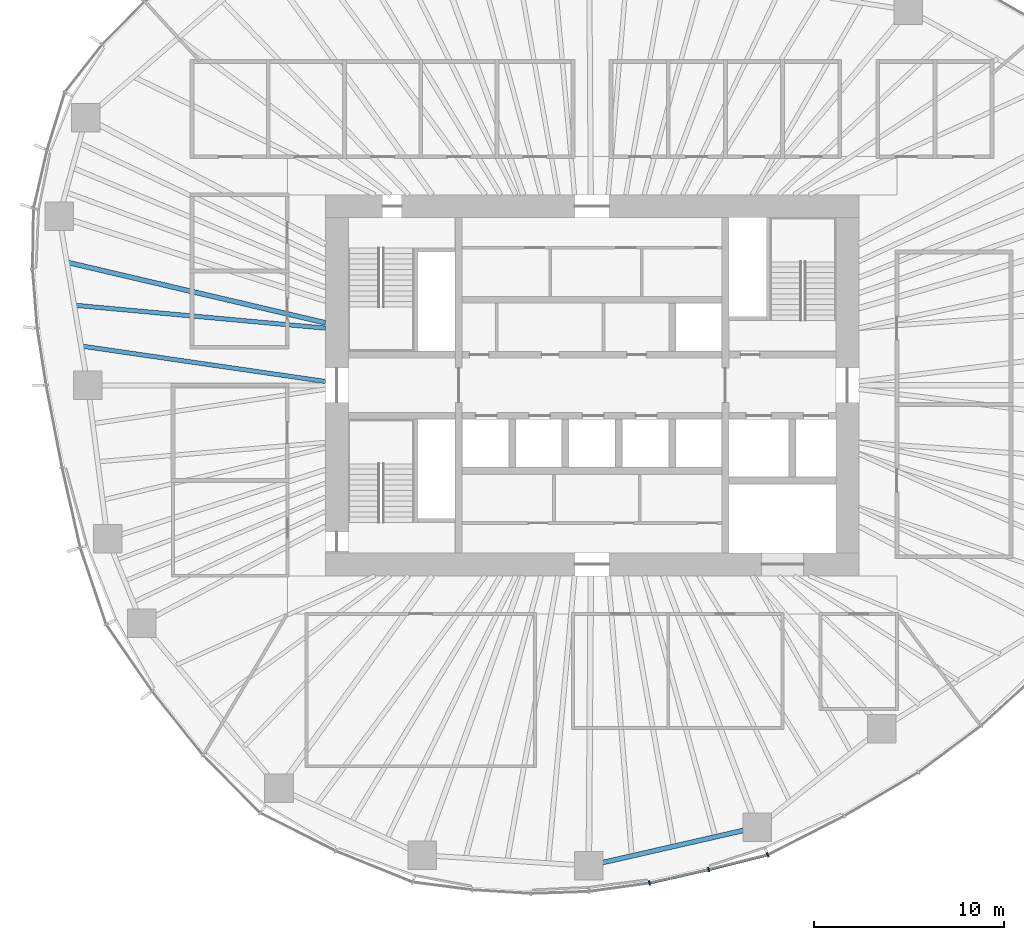
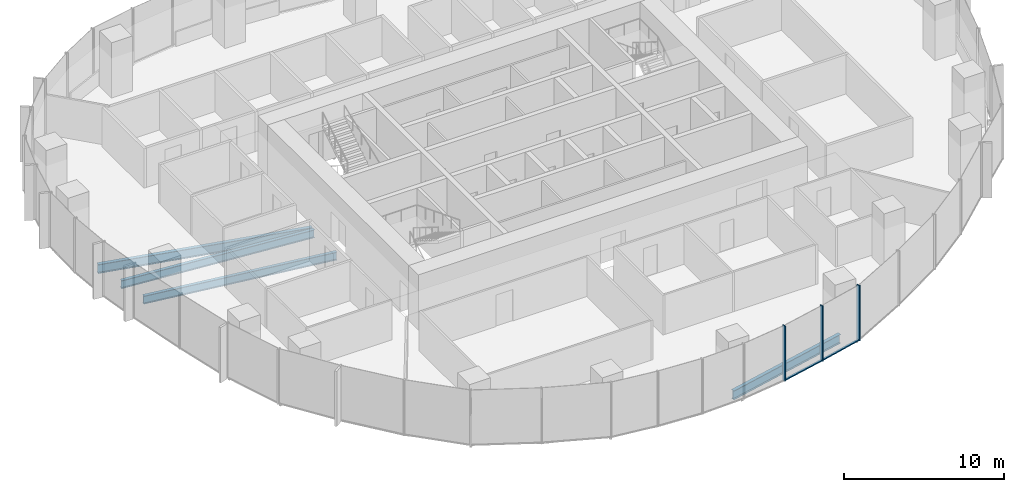
# One storey, part 3 of 18: 5 members, 4 beams, 2 elements without a shape of their own.
"""IFC4 building model written with IfcOpenShell, lengths in metres."""

from ifc_helpers import new_model, si_unit, direction, frame, origin, origin_2d, place, context, subcontext, project, spatial, rectangle, i_section, extrude, material, material_profile, profile_set, type_object, element, aggregate, save


model = new_model("IFC4")

# Units and contexts
model_context = context("Model", 3, precision=1e-05, world=origin(), true_north=direction((0.0, 1.0)))
body_context = subcontext(model_context, "Body", "Model", "MODEL_VIEW")
ifc_project = project(units=[si_unit("LENGTHUNIT", "METRE"), si_unit("AREAUNIT", "SQUARE_METRE"), si_unit("VOLUMEUNIT", "CUBIC_METRE"), si_unit("PLANEANGLEUNIT", "RADIAN"), si_unit("MASSUNIT", "GRAM", prefix="KILO")], contexts=[model_context])

# Site, building, storey
site_placement = place(None, origin())
site = spatial("IfcSite", under=ifc_project, at=site_placement, CompositionType="ELEMENT")
building_placement = place(site_placement, origin())
building = spatial("IfcBuilding", under=site, at=building_placement, Name="Ghaith Harvest Tower", CompositionType="ELEMENT")
storey_placement = place(building_placement, frame((0.0, 0.0, 134.39990234375)))
storey = spatial("IfcBuildingStorey", under=building, at=storey_placement, Name="L28", CompositionType="ELEMENT", Elevation=134.39990234375)

# Curtain wall, members
ifc_material_1 = material(Name="Black anodised aluminium and fritted glass", Category="aluminium")
curtain_wall_type = type_object("IfcCurtainWallType", Name="CW-L CURTAIN WALL", PredefinedType="NOTDEFINED", material=ifc_material_1)
curtain_wall_1_placement = place(storey_placement, origin())
curtain_wall_1 = element("IfcCurtainWall", 1, at=curtain_wall_1_placement, inside=storey, type_object=curtain_wall_type, Name="Curtain wall CW-L bay 16 L28", PredefinedType="NOTDEFINED")
ifc_material_2 = material(Name="Aluminium, black anodised", Category="aluminium")
ifc_material_profile_1 = material_profile(ifc_material_2, rectangle(XDim=0.080078125, YDim=0.239990234375, at=origin_2d()), Name="CW-L MULLION 80x240")
ifc_profile_set_1 = profile_set([ifc_material_profile_1], Name="Aluminium, black anodised")
member_type_1 = type_object("IfcMemberType", Name="CW-L MULLION 80x240", PredefinedType="MULLION", material=ifc_profile_set_1)
member_1_placement = place(storey_placement, frame((3.010009765625, -26.12939453125, 0.0), z_axis=(0.0, 0.0, 1.0), x_axis=(0.983806317978, 0.179234842337, 0.0)))
member_1 = element("IfcMember", 2, at=member_1_placement, type_object=member_type_1, Name="CW-L mullion 2 bay 16 L28", PredefinedType="MULLION", context=body_context, shape_type="SweptSolid", body=[
    extrude(rectangle(XDim=0.080078125, YDim=0.239990234375, at=origin_2d()), origin(), (0.0, 0.0, 1.0), 4.2001953125),
])
member_2_placement = place(storey_placement, frame((6.1201171875, -25.425537109375, 0.0), z_axis=(0.0, 0.0, 1.0), x_axis=(0.972918144681, 0.231149916179, 0.0)))
member_2 = element("IfcMember", 3, at=member_2_placement, type_object=member_type_1, Name="CW-L mullion 3 bay 16 L28", PredefinedType="MULLION", context=body_context, shape_type="SweptSolid", body=[
    extrude(rectangle(XDim=0.080078125, YDim=0.239990234375, at=origin_2d()), origin(), (0.0, 0.0, 1.0), 4.2001953125),
])

# Curtain wall, member
curtain_wall_2_placement = place(storey_placement, origin())
curtain_wall_2 = element("IfcCurtainWall", 4, at=curtain_wall_2_placement, inside=storey, type_object=curtain_wall_type, Name="Curtain wall CW-L bay 17 L28", PredefinedType="NOTDEFINED")
member_3_placement = place(storey_placement, frame((9.216796875, -24.654541015625, 0.0), z_axis=(0.0, 0.0, 1.0), x_axis=(0.929831847154, 0.367984695358, 0.0)))
member_3 = element("IfcMember", 5, at=member_3_placement, type_object=member_type_1, Name="CW-L mullion 1 bay 17 L28", PredefinedType="MULLION", context=body_context, shape_type="SweptSolid", body=[
    extrude(rectangle(XDim=0.080078125, YDim=0.239990234375, at=origin_2d()), origin(), (0.0, 0.0, 1.0), 4.2001953125),
])
aggregate(curtain_wall_2, [member_3])

# Member
ifc_material_3 = material(Name="Aluminium, black anodised", Category="aluminium")
ifc_material_profile_2 = material_profile(ifc_material_3, rectangle(XDim=0.14990234375, YDim=0.080078125, at=origin_2d()), Name="CW-L TRANSOM 150x80")
ifc_profile_set_2 = profile_set([ifc_material_profile_2], Name="Aluminium, black anodised")
member_type_2 = type_object("IfcMemberType", Name="CW-L TRANSOM 150x80", PredefinedType="USERDEFINED", material=ifc_profile_set_2)
member_4_placement = place(storey_placement, frame((3.048828125, -26.120361328125, 0.0400390625), z_axis=(0.975352213651, 0.22065370907, 0.0), x_axis=(-0.22065370907, 0.975352213651, 0.0)))
member_4 = element("IfcMember", 6, at=member_4_placement, type_object=member_type_2, Name="CW-L transom 2 bay 16 L28", ObjectType="TRANSOM", PredefinedType="USERDEFINED", context=body_context, shape_type="SweptSolid", body=[
    extrude(rectangle(XDim=0.14990234375, YDim=0.080078125, at=origin_2d()), origin(), (0.0, 0.0, 1.0), 3.109130859375),
])

member_5_placement = place(storey_placement, frame((6.158935546875, -25.415771484375, 0.0400390625), z_axis=(0.97039125345, 0.241538434265, 0.0), x_axis=(-0.241538434265, 0.97039125345, 0.0)))
member_5 = element("IfcMember", 7, at=member_5_placement, type_object=member_type_2, Name="CW-L transom 3 bay 16 L28", ObjectType="TRANSOM", PredefinedType="USERDEFINED", context=body_context, shape_type="SweptSolid", body=[
    extrude(rectangle(XDim=0.14990234375, YDim=0.080078125, at=origin_2d()), origin(), (0.0, 0.0, 1.0), 3.111083984375),
])

aggregate(curtain_wall_1, [member_1, member_4, member_2, member_5])

# Beams
ifc_material_4 = material(Name="Steel ASTM A992 Grade 50", Category="steel")
ifc_material_profile_3 = material_profile(ifc_material_4, i_section(OverallWidth=0.25390625, OverallDepth=0.68408203125, WebThickness=0.012451171875, FlangeThickness=0.018798828125, at=origin_2d()), Name="W690X140")
ifc_profile_set_3 = profile_set([ifc_material_profile_3], Name="Steel ASTM A992 Grade 50")
beam_type_1 = type_object("IfcBeamType", Name="E690-140 W690X140", PredefinedType="SPANDREL", material=ifc_profile_set_3)
beam_1_placement = place(storey_placement, frame((-0.173095703125, -25.22412109375, -0.511962890625), z_axis=(0.974881709383, 0.22272326486, 0.0), x_axis=(-0.22272326486, 0.974881709383, 0.0)))
element("IfcBeam", 8, at=beam_1_placement, inside=storey, type_object=beam_type_1, Name="Edge beam E16 L28", PredefinedType="SPANDREL", context=body_context, shape_type="SweptSolid", body=[
    extrude(i_section(OverallWidth=0.25390625, OverallDepth=0.68408203125, WebThickness=0.012451171875, FlangeThickness=0.018798828125, at=origin_2d()), origin(), (0.0, 0.0, 1.0), 9.0751953125),
])
ifc_material_5 = material(Name="Steel ASTM A992 Grade 50", Category="steel")
ifc_material_profile_4 = material_profile(ifc_material_5, i_section(OverallWidth=0.22900390625, OverallDepth=0.612060546875, WebThickness=0.011962890625, FlangeThickness=0.01953125, at=origin_2d()), Name="W610X125")
ifc_profile_set_4 = profile_set([ifc_material_profile_4], Name="Steel ASTM A992 Grade 50")
beam_type_2 = type_object("IfcBeamType", Name="J610-125 W610X125", PredefinedType="JOIST", material=ifc_profile_set_4)
beam_2_placement = place(storey_placement, frame((-14.0, 3.0, -0.475830078125), z_axis=(-0.995849123151, 0.091019360137, 0.0), x_axis=(-0.091019360137, -0.995849123151, 0.0)))
element("IfcBeam", 9, at=beam_2_placement, inside=storey, type_object=beam_type_2, Name="Joist J10.2 L28", PredefinedType="JOIST", context=body_context, shape_type="SweptSolid", body=[
    extrude(i_section(OverallWidth=0.22900390625, OverallDepth=0.612060546875, WebThickness=0.011962890625, FlangeThickness=0.01953125, at=origin_2d()), origin(), (0.0, 0.0, 1.0), 13.2451171875),
])
beam_3_placement = place(storey_placement, frame((-14.0, 0.199951171875, -0.475830078125), z_axis=(-0.989622120656, 0.143694322465, 0.0), x_axis=(-0.143694322465, -0.989622120656, 0.0)))
element("IfcBeam", 10, at=beam_3_placement, inside=storey, type_object=beam_type_2, Name="Joist J10.3 L28", PredefinedType="JOIST", context=body_context, shape_type="SweptSolid", body=[
    extrude(i_section(OverallWidth=0.22900390625, OverallDepth=0.612060546875, WebThickness=0.011962890625, FlangeThickness=0.01953125, at=origin_2d()), origin(), (0.0, 0.0, 1.0), 12.960205078125),
])
ifc_material_6 = material(Name="Steel ASTM A992 Grade 50", Category="steel")
ifc_material_profile_5 = material_profile(ifc_material_6, i_section(OverallWidth=0.25390625, OverallDepth=0.68408203125, WebThickness=0.012451171875, FlangeThickness=0.018798828125, at=origin_2d()), Name="W690X140")
ifc_profile_set_5 = profile_set([ifc_material_profile_5], Name="Steel ASTM A992 Grade 50")
beam_type_3 = type_object("IfcBeamType", Name="J690-140 W690X140", PredefinedType="JOIST", material=ifc_profile_set_5)
beam_4_placement = place(storey_placement, frame((-14.0, 3.280517578125, -0.511962890625), z_axis=(-0.973623240284, 0.228161753978, 0.0), x_axis=(-0.228161753978, -0.973623240284, 0.0)))
element("IfcBeam", 11, at=beam_4_placement, inside=storey, type_object=beam_type_3, Name="Joist J10.1 L28", PredefinedType="JOIST", context=body_context, shape_type="SweptSolid", body=[
    extrude(i_section(OverallWidth=0.25390625, OverallDepth=0.68408203125, WebThickness=0.012451171875, FlangeThickness=0.018798828125, at=origin_2d()), origin(), (0.0, 0.0, 1.0), 13.94140625),
])

save(model, "model.ifc")
